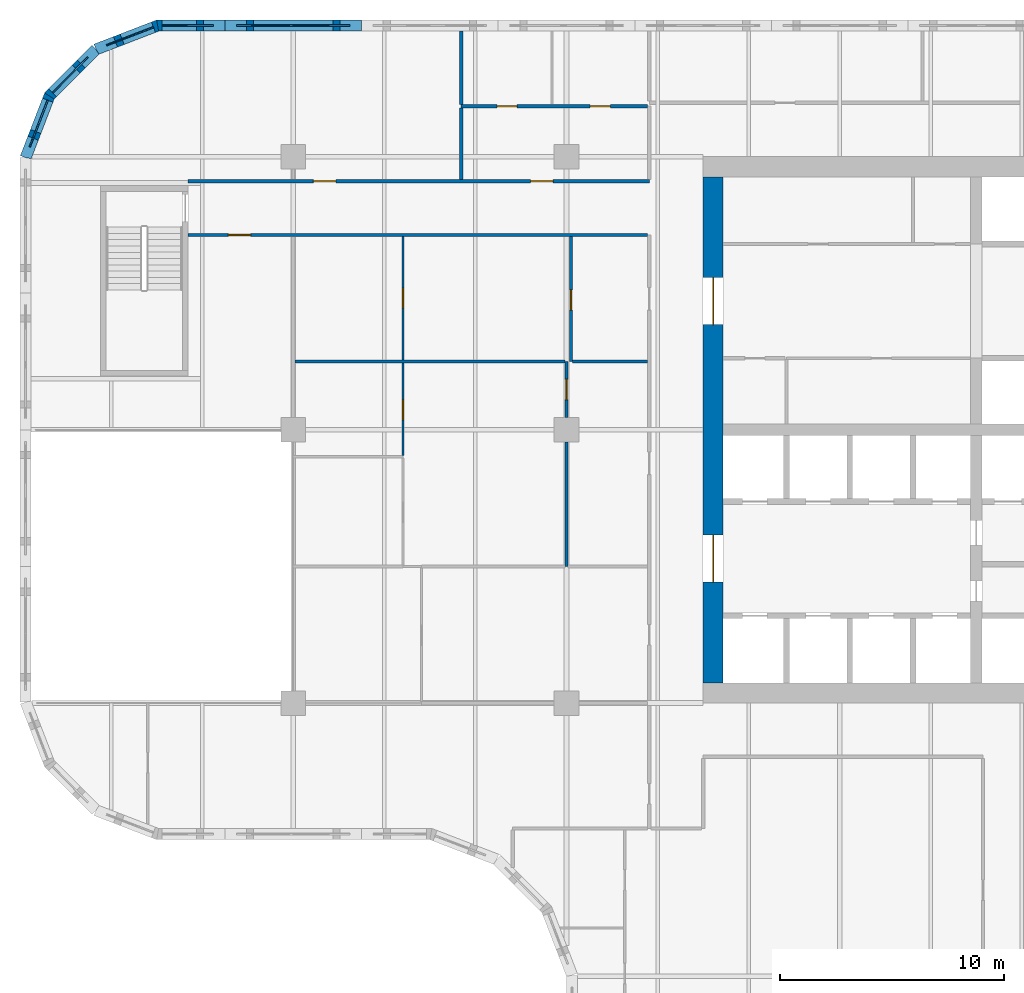
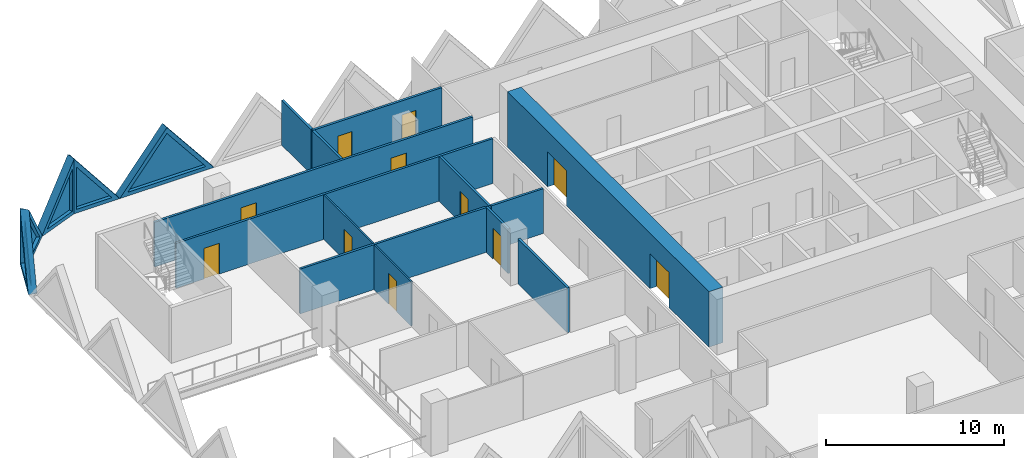
# One storey, part 8 of 19: 18 walls, 11 doors, 5 plates, 16 openings.
"""IFC4 building model written with IfcOpenShell, lengths in metres."""

from ifc_helpers import new_model, si_unit, direction, frame, frame_2d, origin, place, context, subcontext, project, spatial, polyline, rectangle, outline, extrude, faceted_brep, source, transform, mapped, material, layer, layer_set, type_object, element, fill, save


model = new_model("IFC4")

# Units and contexts
model_context = context("Model", 3, precision=1e-05, world=origin(), true_north=direction((0.0, 1.0)))
body_context = subcontext(model_context, "Body", "Model", "MODEL_VIEW")
ifc_project = project(units=[si_unit("LENGTHUNIT", "METRE"), si_unit("AREAUNIT", "SQUARE_METRE"), si_unit("VOLUMEUNIT", "CUBIC_METRE"), si_unit("PLANEANGLEUNIT", "RADIAN"), si_unit("MASSUNIT", "GRAM", prefix="KILO")], contexts=[model_context])

# Site, building, storey
site_placement = place(None, origin())
site = spatial("IfcSite", under=ifc_project, at=site_placement, CompositionType="ELEMENT")
building_placement = place(site_placement, origin())
building = spatial("IfcBuilding", under=site, at=building_placement, Name="Tessera Gate Towers", CompositionType="ELEMENT")
storey_placement = place(building_placement, frame((0.0, 0.0, 25.800048828125)))
storey = spatial("IfcBuildingStorey", under=building, at=storey_placement, Name="L05", CompositionType="ELEMENT", Elevation=25.800048828125)

# Wall, openings, doors
ifc_material_1 = material(Name="Concrete C70/85", Category="concrete")
ifc_layer_1 = layer(ifc_material_1, 0.89990234375)
ifc_layer_set_1 = layer_set([ifc_layer_1], Name="CORE SHEAR WALL 900 C70/85")
wall_type_1 = type_object("IfcWallType", Name="CORE SHEAR WALL 900 C70/85", PredefinedType="SHEAR", material=ifc_layer_set_1)
wall_1_placement = place(storey_placement, frame((30.949951171875, 25.300048828125, 0.0), z_axis=(0.0, 0.0, 1.0), x_axis=(0.0, 1.0, 0.0)))
wall_1 = element("IfcWall", 1, at=wall_1_placement, inside=storey, type_object=wall_type_1, Name="Core wall W L05", PredefinedType="SHEAR", context=body_context, shape_type="SweptSolid", body=[
    extrude(rectangle(XDim=22.599853515625, YDim=0.89990234375, at=frame_2d((11.2998046875, 0.0))), origin(), (0.0, 0.0, 1.0), 3.800048828125),
])
shared_shape_1 = source(origin(), body_context, "Body", "SweptSolid", [
    extrude(rectangle(XDim=2.10009765625, YDim=2.39990234375, at=frame_2d((1.050048828125, 1.199951171875))), frame((0.0, 0.4599609375, 0.0), z_axis=(0.0, -1.0, 0.0), x_axis=(1.0, 0.0, 0.0)), (0.0, 0.0, 1.0), 0.919921875),
])
opening_1_placement = place(wall_1_placement, frame((4.5, 0.0, 0.0)))
opening_1 = element("IfcOpeningElement", 2, at=opening_1_placement, cuts=wall_1, Name="Opening DD-T1-06-02", PredefinedType="OPENING", context=body_context, shape_type="MappedRepresentation", body=[
    mapped(shared_shape_1, transform((0.0, 0.0, 0.0), scale=1.0)),
])
opening_2_placement = place(wall_1_placement, frame((16.0, 0.0, 0.0)))
opening_2 = element("IfcOpeningElement", 3, at=opening_2_placement, cuts=wall_1, Name="Opening DD-T1-06-03", PredefinedType="OPENING", context=body_context, shape_type="MappedRepresentation", body=[
    mapped(shared_shape_1, transform((0.0, 0.0, 0.0), scale=1.0)),
])
ifc_material_2 = material(Name="Hollow steel fire door", Category="steel")
door_type_1 = type_object("IfcDoorType", Name="CORE DOOR DD 2100x2400", OperationType="NOTDEFINED", PredefinedType="DOOR", material=ifc_material_2)
shared_shape_2 = source(origin(), body_context, "Body", "SweptSolid", [
    extrude(rectangle(XDim=2.10009765625, YDim=2.39990234375, at=frame_2d((1.050048828125, 1.199951171875))), frame((0.0, 0.02490234375, 0.0), z_axis=(0.0, -1.0, 0.0), x_axis=(1.0, 0.0, 0.0)), (0.0, 0.0, 1.0), 0.050048828125),
])
door_1_placement = place(opening_1_placement, origin())
door_1 = element("IfcDoor", 4, at=door_1_placement, inside=storey, type_object=door_type_1, Name="Core entrance door", OperationType="DOUBLE_DOOR_SINGLE_SWING", OverallHeight=2.39990234375, OverallWidth=2.10009765625, PredefinedType="DOOR", context=body_context, shape_type="MappedRepresentation", body=[
    mapped(shared_shape_2, transform((0.0, 0.0, 0.0), scale=1.0)),
])
fill(opening_1, door_1)
door_2_placement = place(opening_2_placement, origin())
door_2 = element("IfcDoor", 5, at=door_2_placement, inside=storey, type_object=door_type_1, Name="Core entrance door", OperationType="DOUBLE_DOOR_SINGLE_SWING", OverallHeight=2.39990234375, OverallWidth=2.10009765625, PredefinedType="DOOR", context=body_context, shape_type="MappedRepresentation", body=[
    mapped(shared_shape_2, transform((0.0, 0.0, 0.0), scale=1.0)),
])
fill(opening_2, door_2)

# Wall, opening, door
ifc_material_3 = material(Name="Gypsum board on steel studs, mineral wool", Category="steel")
ifc_layer_2 = layer(ifc_material_3, 0.14990234375)
ifc_layer_set_2 = layer_set([ifc_layer_2], Name="CORRIDOR WALL 150")
wall_type_2 = type_object("IfcWallType", Name="CORRIDOR WALL 150", PredefinedType="PARTITIONING", material=ifc_layer_set_2)
wall_2_placement = place(storey_placement, frame((28.02392578125, 45.300048828125, 0.0), z_axis=(0.0, 0.0, 1.0), x_axis=(-1.0, 0.0, 0.0)))
wall_2 = element("IfcWall", 6, at=wall_2_placement, inside=storey, type_object=wall_type_2, Name="T1-L05-PW-046", PredefinedType="PARTITIONING", context=body_context, shape_type="SweptSolid", body=[
    extrude(rectangle(XDim=20.52392578125, YDim=0.14990234375, at=frame_2d((10.261962890625, 0.0))), origin(), (0.0, 0.0, 1.0), 3.06689453125),
])
shared_shape_3 = source(origin(), body_context, "Body", "SweptSolid", [
    extrude(rectangle(XDim=1.0, YDim=2.10009765625, at=frame_2d((0.5, 1.050048828125))), frame((0.0, 0.0849609375, 0.0), z_axis=(0.0, -1.0, 0.0), x_axis=(1.0, 0.0, 0.0)), (0.0, 0.0, 1.0), 0.169921875),
])
opening_3_placement = place(wall_2_placement, frame((17.72412109375, 0.0, 0.0)))
opening_3 = element("IfcOpeningElement", 7, at=opening_3_placement, cuts=wall_2, Name="Opening D2100FD60-A02-01", PredefinedType="OPENING", context=body_context, shape_type="MappedRepresentation", body=[
    mapped(shared_shape_3, transform((0.0, 0.0, 0.0), scale=1.0)),
])
ifc_material_4 = material(Name="Timber door leaf in steel frame", Category="steel")
door_type_2 = type_object("IfcDoorType", Name="TENANCY ENTRANCE DOOR 1000 FD60", OperationType="NOTDEFINED", PredefinedType="DOOR", material=ifc_material_4)
shared_shape_4 = source(origin(), body_context, "Body", "SweptSolid", [
    extrude(rectangle(XDim=1.0, YDim=2.10009765625, at=frame_2d((0.5, 1.050048828125))), frame((0.0, 0.02490234375, 0.0), z_axis=(0.0, -1.0, 0.0), x_axis=(1.0, 0.0, 0.0)), (0.0, 0.0, 1.0), 0.050048828125),
])
door_3_placement = place(opening_3_placement, origin())
door_3 = element("IfcDoor", 8, at=door_3_placement, inside=storey, type_object=door_type_2, Name="T1-L05-PD-009", OperationType="SINGLE_SWING_RIGHT", OverallHeight=2.10009765625, OverallWidth=1.0, PredefinedType="DOOR", context=body_context, shape_type="MappedRepresentation", body=[
    mapped(shared_shape_4, transform((0.0, 0.0, 0.0), scale=1.0)),
])
fill(opening_3, door_3)

# Wall, openings, doors
wall_3_placement = place(storey_placement, frame((7.5, 47.699951171875, 0.0), z_axis=(0.0, 0.0, 1.0), x_axis=(1.0, 0.0, 0.0)))
wall_3 = element("IfcWall", 9, at=wall_3_placement, inside=storey, type_object=wall_type_2, Name="T1-L05-PW-047", PredefinedType="PARTITIONING", context=body_context, shape_type="SweptSolid", body=[
    extrude(rectangle(XDim=20.60009765625, YDim=0.14990234375, at=frame_2d((10.300048828125, 0.0))), origin(), (0.0, 0.0, 1.0), 3.06689453125),
])
opening_4_placement = place(wall_3_placement, frame((15.301025390625, 0.0, 0.0)))
opening_4 = element("IfcOpeningElement", 10, at=opening_4_placement, cuts=wall_3, Name="Opening D2100FD60-A02-04", PredefinedType="OPENING", context=body_context, shape_type="MappedRepresentation", body=[
    mapped(shared_shape_3, transform((0.0, 0.0, 0.0), scale=1.0)),
])
opening_5_placement = place(wall_3_placement, frame((5.60009765625, 0.0, 0.0)))
opening_5 = element("IfcOpeningElement", 11, at=opening_5_placement, cuts=wall_3, Name="Opening D2100FD60-A02-06", PredefinedType="OPENING", context=body_context, shape_type="MappedRepresentation", body=[
    mapped(shared_shape_3, transform((0.0, 0.0, 0.0), scale=1.0)),
])
door_4_placement = place(opening_4_placement, origin())
door_4 = element("IfcDoor", 12, at=door_4_placement, inside=storey, type_object=door_type_2, Name="T1-L05-PD-024", OperationType="SINGLE_SWING_LEFT", OverallHeight=2.10009765625, OverallWidth=1.0, PredefinedType="DOOR", context=body_context, shape_type="MappedRepresentation", body=[
    mapped(shared_shape_4, transform((0.0, 0.0, 0.0), scale=1.0)),
])
fill(opening_4, door_4)
door_5_placement = place(opening_5_placement, origin())
door_5 = element("IfcDoor", 13, at=door_5_placement, inside=storey, type_object=door_type_2, Name="T1-L05-PD-029", OperationType="SINGLE_SWING_LEFT", OverallHeight=2.10009765625, OverallWidth=1.0, PredefinedType="DOOR", context=body_context, shape_type="MappedRepresentation", body=[
    mapped(shared_shape_4, transform((0.0, 0.0, 0.0), scale=1.0)),
])
fill(opening_5, door_5)

# Wall, opening, door
ifc_material_5 = material(Name="Gypsum board on steel studs", Category="steel")
ifc_layer_3 = layer(ifc_material_5, 0.10009765625)
ifc_layer_set_3 = layer_set([ifc_layer_3], Name="PARTITION 100")
wall_type_3 = type_object("IfcWallType", Name="PARTITION 100", PredefinedType="PARTITIONING", material=ifc_layer_set_3)
wall_4_placement = place(storey_placement, frame((17.10009765625, 35.4462890625, 0.0), z_axis=(0.0, 0.0, 1.0), x_axis=(0.0, 1.0, 0.0)))
wall_4 = element("IfcWall", 14, at=wall_4_placement, inside=storey, type_object=wall_type_3, Name="T1-L05-PW-039", PredefinedType="PARTITIONING", context=body_context, shape_type="SweptSolid", body=[
    extrude(rectangle(XDim=4.127685546875, YDim=0.10009765625, at=frame_2d((2.06396484375, 0.0))), origin(), (0.0, 0.0, 1.0), 3.06689453125),
])
shared_shape_5 = source(origin(), body_context, "Body", "SweptSolid", [
    extrude(rectangle(XDim=0.89990234375, YDim=2.10009765625, at=frame_2d((0.449951171875, 1.050048828125))), frame((0.0, 0.06005859375, 0.0), z_axis=(0.0, -1.0, 0.0), x_axis=(1.0, 0.0, 0.0)), (0.0, 0.0, 1.0), 0.1201171875),
])
opening_6_placement = place(wall_4_placement, frame((1.60009765625, 0.0, 0.0)))
opening_6 = element("IfcOpeningElement", 15, at=opening_6_placement, cuts=wall_4, Name="Opening D190-A02-03", PredefinedType="OPENING", context=body_context, shape_type="MappedRepresentation", body=[
    mapped(shared_shape_5, transform((0.0, 0.0, 0.0), scale=1.0)),
])
ifc_material_6 = material(Name="Timber door leaf in steel frame", Category="steel")
door_type_3 = type_object("IfcDoorType", Name="INTERNAL DOOR 900 NOT RATED", OperationType="NOTDEFINED", PredefinedType="DOOR", material=ifc_material_6)
shared_shape_6 = source(origin(), body_context, "Body", "SweptSolid", [
    extrude(rectangle(XDim=0.89990234375, YDim=2.10009765625, at=frame_2d((0.449951171875, 1.050048828125))), frame((0.0, 0.02490234375, 0.0), z_axis=(0.0, -1.0, 0.0), x_axis=(1.0, 0.0, 0.0)), (0.0, 0.0, 1.0), 0.050048828125),
])
door_6_placement = place(opening_6_placement, origin())
door_6 = element("IfcDoor", 16, at=door_6_placement, inside=storey, type_object=door_type_3, Name="T1-L05-PD-004", OperationType="SINGLE_SWING_LEFT", OverallHeight=2.10009765625, OverallWidth=0.89990234375, PredefinedType="DOOR", context=body_context, shape_type="MappedRepresentation", body=[
    mapped(shared_shape_6, transform((0.0, 0.0, 0.0), scale=1.0)),
])
fill(opening_6, door_6)

wall_5_placement = place(storey_placement, frame((17.10009765625, 39.72607421875, 0.0), z_axis=(0.0, 0.0, 1.0), x_axis=(0.0, 1.0, 0.0)))
wall_5 = element("IfcWall", 17, at=wall_5_placement, inside=storey, type_object=wall_type_3, Name="T1-L05-PW-045", PredefinedType="PARTITIONING", context=body_context, shape_type="SweptSolid", body=[
    extrude(rectangle(XDim=5.498046875, YDim=0.10009765625, at=frame_2d((2.7490234375, 0.0))), origin(), (0.0, 0.0, 1.0), 3.06689453125),
])
opening_7_placement = place(wall_5_placement, frame((2.300048828125, 0.0, 0.0)))
opening_7 = element("IfcOpeningElement", 18, at=opening_7_placement, cuts=wall_5, Name="Opening D190-A02-11", PredefinedType="OPENING", context=body_context, shape_type="MappedRepresentation", body=[
    mapped(shared_shape_5, transform((0.0, 0.0, 0.0), scale=1.0)),
])
door_7_placement = place(opening_7_placement, origin())
door_7 = element("IfcDoor", 19, at=door_7_placement, inside=storey, type_object=door_type_3, Name="T1-L05-PD-015", OperationType="SINGLE_SWING_LEFT", OverallHeight=2.10009765625, OverallWidth=0.89990234375, PredefinedType="DOOR", context=body_context, shape_type="MappedRepresentation", body=[
    mapped(shared_shape_6, transform((0.0, 0.0, 0.0), scale=1.0)),
])
fill(opening_7, door_7)

# Wall
ifc_material_7 = material(Name="Gypsum board on steel studs, mineral wool", Category="steel")
ifc_layer_4 = layer(ifc_material_7, 0.14990234375)
ifc_layer_set_4 = layer_set([ifc_layer_4], Name="TENANCY WALL 150")
wall_type_4 = type_object("IfcWallType", Name="TENANCY WALL 150", PredefinedType="PARTITIONING", material=ifc_layer_set_4)
wall_6_placement = place(storey_placement, frame((24.39990234375, 30.5, 0.0), z_axis=(0.0, 0.0, 1.0), x_axis=(0.0, 1.0, 0.0)))
element("IfcWall", 20, at=wall_6_placement, inside=storey, type_object=wall_type_4, Name="T1-L05-PW-035", PredefinedType="PARTITIONING", context=body_context, shape_type="SweptSolid", body=[
    extrude(rectangle(XDim=5.549072265625, YDim=0.14990234375, at=frame_2d((2.7744140625, 0.0))), origin(), (0.0, 0.0, 1.0), 3.06689453125),
])

# Wall, opening, door
wall_7_placement = place(storey_placement, frame((24.39990234375, 37.15087890625, 0.0), z_axis=(0.0, 0.0, 1.0), x_axis=(0.0, 1.0, 0.0)))
wall_7 = element("IfcWall", 21, at=wall_7_placement, inside=storey, type_object=wall_type_4, Name="T1-L05-PW-041", PredefinedType="PARTITIONING", context=body_context, shape_type="SweptSolid", body=[
    extrude(rectangle(XDim=2.4990234375, YDim=0.14990234375, at=frame_2d((1.24951171875, 0.0))), origin(), (0.0, 0.0, 1.0), 3.06689453125),
])
shared_shape_7 = source(origin(), body_context, "Body", "SweptSolid", [
    extrude(rectangle(XDim=0.89990234375, YDim=2.10009765625, at=frame_2d((0.449951171875, 1.050048828125))), frame((0.0, 0.0849609375, 0.0), z_axis=(0.0, -1.0, 0.0), x_axis=(1.0, 0.0, 0.0)), (0.0, 0.0, 1.0), 0.169921875),
])
opening_8_placement = place(wall_7_placement, frame((0.800048828125, 0.0, 0.0)))
opening_8 = element("IfcOpeningElement", 22, at=opening_8_placement, cuts=wall_7, Name="Opening D190-A02-14", PredefinedType="OPENING", context=body_context, shape_type="MappedRepresentation", body=[
    mapped(shared_shape_7, transform((0.0, 0.0, 0.0), scale=1.0)),
])
door_8_placement = place(opening_8_placement, origin())
door_8 = element("IfcDoor", 23, at=door_8_placement, inside=storey, type_object=door_type_3, Name="T1-L05-PD-023", OperationType="SINGLE_SWING_LEFT", OverallHeight=2.10009765625, OverallWidth=0.89990234375, PredefinedType="DOOR", context=body_context, shape_type="MappedRepresentation", body=[
    mapped(shared_shape_6, transform((0.0, 0.0, 0.0), scale=1.0)),
])
fill(opening_8, door_8)

# Wall
wall_8_placement = place(storey_placement, frame((12.27587890625, 39.64990234375, 0.0), z_axis=(0.0, 0.0, 1.0), x_axis=(1.0, 0.0, 0.0)))
element("IfcWall", 24, at=wall_8_placement, inside=storey, type_object=wall_type_4, Name="T1-L05-PW-042", PredefinedType="PARTITIONING", context=body_context, shape_type="SweptSolid", body=[
    extrude(rectangle(XDim=12.048095703125, YDim=0.14990234375, at=frame_2d((6.02392578125, 0.0))), origin(), (0.0, 0.0, 1.0), 3.06689453125),
])

# Wall, opening, door
wall_9_placement = place(storey_placement, frame((24.60009765625, 39.64990234375, 0.0), z_axis=(0.0, 0.0, 1.0), x_axis=(0.0, 1.0, 0.0)))
wall_9 = element("IfcWall", 25, at=wall_9_placement, inside=storey, type_object=wall_type_4, Name="T1-L05-PW-043", PredefinedType="PARTITIONING", context=body_context, shape_type="SweptSolid", body=[
    extrude(rectangle(XDim=5.57421875, YDim=0.14990234375, at=frame_2d((2.787109375, 0.0))), origin(), (0.0, 0.0, 1.0), 3.06689453125),
])
opening_9_placement = place(wall_9_placement, frame((2.300048828125, 0.0, 0.0)))
opening_9 = element("IfcOpeningElement", 26, at=opening_9_placement, cuts=wall_9, Name="Opening D190-A02-12", PredefinedType="OPENING", context=body_context, shape_type="MappedRepresentation", body=[
    mapped(shared_shape_7, transform((0.0, 0.0, 0.0), scale=1.0)),
])
door_9_placement = place(opening_9_placement, origin())
door_9 = element("IfcDoor", 27, at=door_9_placement, inside=storey, type_object=door_type_3, Name="T1-L05-PD-016", OperationType="SINGLE_SWING_LEFT", OverallHeight=2.10009765625, OverallWidth=0.89990234375, PredefinedType="DOOR", context=body_context, shape_type="MappedRepresentation", body=[
    mapped(shared_shape_6, transform((0.0, 0.0, 0.0), scale=1.0)),
])
fill(opening_9, door_9)

# Walls
wall_10_placement = place(storey_placement, frame((24.676025390625, 39.64990234375, 0.0), z_axis=(0.0, 0.0, 1.0), x_axis=(1.0, 0.0, 0.0)))
element("IfcWall", 28, at=wall_10_placement, inside=storey, type_object=wall_type_4, Name="T1-L05-PW-044", PredefinedType="PARTITIONING", context=body_context, shape_type="SweptSolid", body=[
    extrude(rectangle(XDim=3.347900390625, YDim=0.14990234375, at=frame_2d((1.673828125, 0.0))), origin(), (0.0, 0.0, 1.0), 3.06689453125),
])
wall_11_placement = place(storey_placement, frame((19.699951171875, 47.77587890625, 0.0), z_axis=(0.0, 0.0, 1.0), x_axis=(0.0, 1.0, 0.0)))
element("IfcWall", 29, at=wall_11_placement, inside=storey, type_object=wall_type_4, Name="T1-L05-PW-048", PredefinedType="PARTITIONING", context=body_context, shape_type="SweptSolid", body=[
    extrude(rectangle(XDim=3.1982421875, YDim=0.14990234375, at=frame_2d((1.59912109375, 0.0))), origin(), (0.0, 0.0, 1.0), 3.06689453125),
])

# Wall, openings, doors
wall_12_placement = place(storey_placement, frame((19.699951171875, 51.050048828125, 0.0), z_axis=(0.0, 0.0, 1.0), x_axis=(1.0, 0.0, 0.0)))
wall_12 = element("IfcWall", 30, at=wall_12_placement, inside=storey, type_object=wall_type_4, Name="T1-L05-PW-051", PredefinedType="PARTITIONING", context=body_context, shape_type="SweptSolid", body=[
    extrude(rectangle(XDim=8.323974609375, YDim=0.14990234375, at=frame_2d((4.162109375, 0.0))), origin(), (0.0, 0.0, 1.0), 3.06689453125),
])
opening_10_placement = place(wall_12_placement, frame((1.60009765625, 0.0, 0.0)))
opening_10 = element("IfcOpeningElement", 31, at=opening_10_placement, cuts=wall_12, Name="Opening D190-A02-01", PredefinedType="OPENING", context=body_context, shape_type="MappedRepresentation", body=[
    mapped(shared_shape_7, transform((0.0, 0.0, 0.0), scale=1.0)),
])
opening_11_placement = place(wall_12_placement, frame((5.758056640625, 0.0, 0.0)))
opening_11 = element("IfcOpeningElement", 32, at=opening_11_placement, cuts=wall_12, Name="Opening D190-A02-04", PredefinedType="OPENING", context=body_context, shape_type="MappedRepresentation", body=[
    mapped(shared_shape_7, transform((0.0, 0.0, 0.0), scale=1.0)),
])
door_10_placement = place(opening_10_placement, origin())
door_10 = element("IfcDoor", 33, at=door_10_placement, inside=storey, type_object=door_type_3, Name="T1-L05-PD-002", OperationType="SINGLE_SWING_LEFT", OverallHeight=2.10009765625, OverallWidth=0.89990234375, PredefinedType="DOOR", context=body_context, shape_type="MappedRepresentation", body=[
    mapped(shared_shape_6, transform((0.0, 0.0, 0.0), scale=1.0)),
])
fill(opening_10, door_10)
door_11_placement = place(opening_11_placement, origin())
door_11 = element("IfcDoor", 34, at=door_11_placement, inside=storey, type_object=door_type_3, Name="T1-L05-PD-005", OperationType="SINGLE_SWING_LEFT", OverallHeight=2.10009765625, OverallWidth=0.89990234375, PredefinedType="DOOR", context=body_context, shape_type="MappedRepresentation", body=[
    mapped(shared_shape_6, transform((0.0, 0.0, 0.0), scale=1.0)),
])
fill(opening_11, door_11)

# Wall
wall_13_placement = place(storey_placement, frame((19.699951171875, 51.1259765625, 0.0), z_axis=(0.0, 0.0, 1.0), x_axis=(0.0, 1.0, 0.0)))
element("IfcWall", 35, at=wall_13_placement, inside=storey, type_object=wall_type_4, Name="T1-L05-PW-052", PredefinedType="PARTITIONING", context=body_context, shape_type="SweptSolid", body=[
    extrude(rectangle(XDim=3.27392578125, YDim=0.14990234375, at=frame_2d((1.636962890625, 0.0))), origin(), (0.0, 0.0, 1.0), 3.06689453125),
])

# Wall, opening, plate
ifc_material_8 = material(Name="Precast concrete C60/75 white", Category="concrete")
ifc_layer_5 = layer(ifc_material_8, 0.5)
ifc_layer_set_5 = layer_set([ifc_layer_5], Name="TS2 half tessera")
wall_type_5 = type_object("IfcWallType", Name="TS2 half tessera", PredefinedType="SOLIDWALL", material=ifc_layer_set_5)
shared_shape_8 = source(origin(), body_context, "Body", "SweptSolid", [
    extrude(outline(polyline([(6.10009765625, 0.0), (3.050048828125, 3.800048828125), (0.0, 0.0), (6.10009765625, 0.0)])), frame((0.0, 0.25, 0.0), z_axis=(0.0, -1.0, 0.0), x_axis=(1.0, 0.0, 0.0)), (0.0, 0.0, 1.0), 0.5),
])
wall_14_placement = place(storey_placement, frame((15.25, 54.64990234375, 0.0), z_axis=(0.0, 0.0, 1.0), x_axis=(-1.0, 0.0, 0.0)))
wall_14 = element("IfcWall", 36, at=wall_14_placement, inside=storey, type_object=wall_type_5, Name="Precast half tessera T1 TS2-0062", PredefinedType="SOLIDWALL", context=body_context, shape_type="MappedRepresentation", body=[
    mapped(shared_shape_8, transform((0.0, 0.0, 0.0), scale=1.0)),
])
shared_shape_9 = source(origin(), body_context, "Body", "SweptSolid", [
    extrude(outline(polyline([(5.578857421875, 0.25), (3.050048828125, 3.400634765625), (0.521240234375, 0.25), (5.578857421875, 0.25)])), frame((0.0, 0.260009765625, 0.0), z_axis=(0.0, -1.0, 0.0), x_axis=(1.0, 0.0, 0.0)), (0.0, 0.0, 1.0), 0.52001953125),
])
opening_12_placement = place(wall_14_placement, origin())
opening_12 = element("IfcOpeningElement", 37, at=opening_12_placement, cuts=wall_14, Name="Opening T1-PL1-0120", PredefinedType="OPENING", context=body_context, shape_type="MappedRepresentation", body=[
    mapped(shared_shape_9, transform((0.0, 0.0, 0.0), scale=1.0)),
])
ifc_material_9 = material(Name="Low-e laminated glass", Category="glass")
ifc_layer_6 = layer(ifc_material_9, 0.06005859375)
ifc_layer_set_6 = layer_set([ifc_layer_6], Name="PL1 triangular pane")
plate_type = type_object("IfcPlateType", Name="PL1 triangular pane", PredefinedType="SHEET", material=ifc_layer_set_6)
shared_shape_10 = source(origin(), body_context, "Body", "SweptSolid", [
    extrude(outline(polyline([(5.578857421875, 0.25), (3.050048828125, 3.400634765625), (0.521240234375, 0.25), (5.578857421875, 0.25)])), frame((0.0, 0.030029296875, 0.0), z_axis=(0.0, -1.0, 0.0), x_axis=(1.0, 0.0, 0.0)), (0.0, 0.0, 1.0), 0.06005859375),
])
plate_1_placement = place(opening_12_placement, origin())
plate_1 = element("IfcPlate", 38, at=plate_1_placement, inside=storey, type_object=plate_type, Name="Glass pane T1 PL1-0120", PredefinedType="SHEET", context=body_context, shape_type="MappedRepresentation", body=[
    mapped(shared_shape_10, transform((0.0, 0.0, 0.0), scale=1.0)),
])
fill(opening_12, plate_1)

ifc_material_10 = material(Name="Precast concrete C60/75 white", Category="concrete")
ifc_layer_7 = layer(ifc_material_10, 0.5)
ifc_layer_set_7 = layer_set([ifc_layer_7], Name="TS3 corner tessera")
wall_type_6 = type_object("IfcWallType", Name="TS3 corner tessera", PredefinedType="SOLIDWALL", material=ifc_layer_set_7)
shared_shape_11 = source(origin(), body_context, "Body", "Brep", [
    faceted_brep([(3.050048828125, -0.25, 3.739990234375), (3.00341796875, -0.25, 3.800048828125), (0.0, -0.25, 0.0), (3.050048828125, -0.25, 0.0), (0.0, 0.25, 0.0), (2.956787109375, 0.25, 3.7412109375), (2.956787109375, 0.25, 0.0), (3.00341796875, 0.000244140625, 3.800048828125)], [[[0, 1, 2, 3]], [[4, 5, 6]], [[7, 1, 0]], [[5, 4, 2, 1, 7]], [[4, 6, 3, 2]], [[3, 6, 5, 7, 0]]]),
])
wall_15_placement = place(storey_placement, frame((9.14990234375, 54.64990234375, 0.0), z_axis=(0.0, 0.0, 1.0), x_axis=(-1.0, 0.0, 0.0)))
wall_15 = element("IfcWall", 39, at=wall_15_placement, inside=storey, type_object=wall_type_6, Name="Precast corner tessera T1 TS3-0083", PredefinedType="SOLIDWALL", context=body_context, shape_type="MappedRepresentation", body=[
    mapped(shared_shape_11, transform((0.0, 0.0, 0.0), scale=1.0)),
])
shared_shape_12 = source(origin(), body_context, "Body", "SweptSolid", [
    extrude(outline(polyline([(2.803466796875, 3.143798828125), (0.516357421875, 0.25), (2.803466796875, 0.25), (2.803466796875, 3.143798828125)])), frame((0.0, 0.260009765625, 0.0), z_axis=(0.0, -1.0, 0.0), x_axis=(1.0, 0.0, 0.0)), (0.0, 0.0, 1.0), 0.52001953125),
])
opening_13_placement = place(wall_15_placement, origin())
opening_13 = element("IfcOpeningElement", 40, at=opening_13_placement, cuts=wall_15, Name="Opening T1-PL1-0121", PredefinedType="OPENING", context=body_context, shape_type="MappedRepresentation", body=[
    mapped(shared_shape_12, transform((0.0, 0.0, 0.0), scale=1.0)),
])
shared_shape_13 = source(origin(), body_context, "Body", "SweptSolid", [
    extrude(outline(polyline([(2.803466796875, 3.143798828125), (0.516357421875, 0.25), (2.803466796875, 0.25), (2.803466796875, 3.143798828125)])), frame((0.0, 0.030029296875, 0.0), z_axis=(0.0, -1.0, 0.0), x_axis=(1.0, 0.0, 0.0)), (0.0, 0.0, 1.0), 0.06005859375),
])
plate_2_placement = place(opening_13_placement, origin())
plate_2 = element("IfcPlate", 41, at=plate_2_placement, inside=storey, type_object=plate_type, Name="Glass pane T1 PL1-0121", PredefinedType="SHEET", context=body_context, shape_type="MappedRepresentation", body=[
    mapped(shared_shape_13, transform((0.0, 0.0, 0.0), scale=1.0)),
])
fill(opening_13, plate_2)

shared_shape_14 = source(origin(), body_context, "Body", "Brep", [
    faceted_brep([(2.9970703125, -0.25, 0.0), (0.046630859375, -0.25, 3.800048828125), (0.0, -0.25, 3.7412109375), (0.0, -0.25, 0.0), (0.09326171875, 0.25, 3.739990234375), (2.9443359375, 0.25, 0.068115234375), (2.9443359375, 0.25, 0.0), (0.09326171875, 0.25, 0.0), (0.046630859375, 0.0, 3.800048828125), (2.9970703125, 0.00048828125, 0.0)], [[[0, 1, 2, 3]], [[4, 5, 6, 7]], [[5, 4, 8, 1, 0, 9]], [[2, 1, 8]], [[7, 6, 9, 0, 3]], [[7, 3, 2, 8, 4]], [[9, 6, 5]]]),
])
wall_16_placement = place(storey_placement, frame((6.18994140625, 54.666748046875, 0.0), z_axis=(0.0, 0.0, 1.0), x_axis=(-0.932990326376, -0.359901446078, 0.0)))
wall_16 = element("IfcWall", 42, at=wall_16_placement, inside=storey, type_object=wall_type_6, Name="Precast corner tessera T1 TS3-0084", PredefinedType="SOLIDWALL", context=body_context, shape_type="MappedRepresentation", body=[
    mapped(shared_shape_14, transform((0.0, 0.0, 0.0), scale=1.0)),
])
shared_shape_15 = source(origin(), body_context, "Body", "SweptSolid", [
    extrude(outline(polyline([(2.486572265625, 0.25), (0.24658203125, 3.134765625), (0.24658203125, 0.25), (2.486572265625, 0.25)])), frame((0.0, 0.260009765625, 0.0), z_axis=(0.0, -1.0, 0.0), x_axis=(1.0, 0.0, 0.0)), (0.0, 0.0, 1.0), 0.52001953125),
])
opening_14_placement = place(wall_16_placement, origin())
opening_14 = element("IfcOpeningElement", 43, at=opening_14_placement, cuts=wall_16, Name="Opening T1-PL1-0122", PredefinedType="OPENING", context=body_context, shape_type="MappedRepresentation", body=[
    mapped(shared_shape_15, transform((0.0, 0.0, 0.0), scale=1.0)),
])
shared_shape_16 = source(origin(), body_context, "Body", "SweptSolid", [
    extrude(outline(polyline([(2.486572265625, 0.25), (0.24658203125, 3.134765625), (0.24658203125, 0.25), (2.486572265625, 0.25)])), frame((0.0, 0.030029296875, 0.0), z_axis=(0.0, -1.0, 0.0), x_axis=(1.0, 0.0, 0.0)), (0.0, 0.0, 1.0), 0.06005859375),
])
plate_3_placement = place(opening_14_placement, origin())
plate_3 = element("IfcPlate", 44, at=plate_3_placement, inside=storey, type_object=plate_type, Name="Glass pane T1 PL1-0122", PredefinedType="SHEET", context=body_context, shape_type="MappedRepresentation", body=[
    mapped(shared_shape_16, transform((0.0, 0.0, 0.0), scale=1.0)),
])
fill(opening_14, plate_3)

shared_shape_17 = source(origin(), body_context, "Body", "Brep", [
    faceted_brep([(3.00341796875, -0.25, 0.0), (0.052978515625, -0.25, 3.800048828125), (0.0, -0.25, 3.731689453125), (0.0, -0.25, 0.0), (0.10595703125, 0.25, 3.73193359375), (2.95703125, 0.25, 0.059814453125), (2.95703125, 0.25, 0.0), (0.10595703125, 0.25, 0.0), (0.052978515625, 0.0, 3.800048828125), (3.00341796875, 0.00048828125, 0.0)], [[[0, 1, 2, 3]], [[4, 5, 6, 7]], [[5, 4, 8, 1, 0, 9]], [[2, 1, 8]], [[7, 6, 9, 0, 3]], [[7, 3, 2, 8, 4]], [[9, 6, 5]]]),
])
wall_17_placement = place(storey_placement, frame((1.3310546875, 51.5556640625, 0.0), z_axis=(0.0, 0.0, 1.0), x_axis=(-0.35992665181, -0.932980602862, 0.0)))
wall_17 = element("IfcWall", 45, at=wall_17_placement, inside=storey, type_object=wall_type_6, Name="Precast corner tessera T1 TS3-0086", PredefinedType="SOLIDWALL", context=body_context, shape_type="MappedRepresentation", body=[
    mapped(shared_shape_17, transform((0.0, 0.0, 0.0), scale=1.0)),
])
shared_shape_18 = source(origin(), body_context, "Body", "SweptSolid", [
    extrude(outline(polyline([(2.492919921875, 0.25), (0.2529296875, 3.134765625), (0.2529296875, 0.25), (2.492919921875, 0.25)])), frame((0.0, 0.260009765625, 0.0), z_axis=(0.0, -1.0, 0.0), x_axis=(1.0, 0.0, 0.0)), (0.0, 0.0, 1.0), 0.52001953125),
])
opening_15_placement = place(wall_17_placement, origin())
opening_15 = element("IfcOpeningElement", 46, at=opening_15_placement, cuts=wall_17, Name="Opening T1-PL1-0124", PredefinedType="OPENING", context=body_context, shape_type="MappedRepresentation", body=[
    mapped(shared_shape_18, transform((0.0, 0.0, 0.0), scale=1.0)),
])
shared_shape_19 = source(origin(), body_context, "Body", "SweptSolid", [
    extrude(outline(polyline([(2.492919921875, 0.25), (0.2529296875, 3.134765625), (0.2529296875, 0.25), (2.492919921875, 0.25)])), frame((0.0, 0.030029296875, 0.0), z_axis=(0.0, -1.0, 0.0), x_axis=(1.0, 0.0, 0.0)), (0.0, 0.0, 1.0), 0.06005859375),
])
plate_4_placement = place(opening_15_placement, origin())
plate_4 = element("IfcPlate", 47, at=plate_4_placement, inside=storey, type_object=plate_type, Name="Glass pane T1 PL1-0124", PredefinedType="SHEET", context=body_context, shape_type="MappedRepresentation", body=[
    mapped(shared_shape_19, transform((0.0, 0.0, 0.0), scale=1.0)),
])
fill(opening_15, plate_4)

shared_shape_20 = source(origin(), body_context, "Body", "Brep", [
    faceted_brep([(2.9970703125, -0.25, 3.73193359375), (2.944091796875, -0.25, 3.800048828125), (0.0, -0.25, 0.0), (2.9970703125, -0.25, 0.0), (0.052978515625, 0.25, 0.068359375), (2.89111328125, 0.25, 3.73193359375), (2.89111328125, 0.25, 0.0), (0.052978515625, 0.25, 0.0), (2.944091796875, 0.000244140625, 3.800048828125), (0.0, 0.0, 0.0)], [[[0, 1, 2, 3]], [[4, 5, 6, 7]], [[8, 1, 0]], [[5, 4, 9, 2, 1, 8]], [[7, 6, 3, 2, 9]], [[7, 9, 4]], [[3, 6, 5, 8, 0]]]),
])
wall_18_placement = place(storey_placement, frame((3.393798828125, 53.588134765625, 0.0), z_axis=(0.0, 0.0, 1.0), x_axis=(-0.707106781187, -0.707106781187, 0.0)))
wall_18 = element("IfcWall", 48, at=wall_18_placement, inside=storey, type_object=wall_type_6, Name="Precast corner tessera T1 TS3-0085", PredefinedType="SOLIDWALL", context=body_context, shape_type="MappedRepresentation", body=[
    mapped(shared_shape_20, transform((0.0, 0.0, 0.0), scale=1.0)),
])
shared_shape_21 = source(origin(), body_context, "Body", "SweptSolid", [
    extrude(outline(polyline([(2.744140625, 3.133544921875), (0.510009765625, 0.25), (2.744140625, 0.25), (2.744140625, 3.133544921875)])), frame((0.0, 0.260009765625, 0.0), z_axis=(0.0, -1.0, 0.0), x_axis=(1.0, 0.0, 0.0)), (0.0, 0.0, 1.0), 0.52001953125),
])
opening_16_placement = place(wall_18_placement, origin())
opening_16 = element("IfcOpeningElement", 49, at=opening_16_placement, cuts=wall_18, Name="Opening T1-PL1-0123", PredefinedType="OPENING", context=body_context, shape_type="MappedRepresentation", body=[
    mapped(shared_shape_21, transform((0.0, 0.0, 0.0), scale=1.0)),
])
shared_shape_22 = source(origin(), body_context, "Body", "SweptSolid", [
    extrude(outline(polyline([(2.744140625, 3.133544921875), (0.510009765625, 0.25), (2.744140625, 0.25), (2.744140625, 3.133544921875)])), frame((0.0, 0.030029296875, 0.0), z_axis=(0.0, -1.0, 0.0), x_axis=(1.0, 0.0, 0.0)), (0.0, 0.0, 1.0), 0.06005859375),
])
plate_5_placement = place(opening_16_placement, origin())
plate_5 = element("IfcPlate", 50, at=plate_5_placement, inside=storey, type_object=plate_type, Name="Glass pane T1 PL1-0123", PredefinedType="SHEET", context=body_context, shape_type="MappedRepresentation", body=[
    mapped(shared_shape_22, transform((0.0, 0.0, 0.0), scale=1.0)),
])
fill(opening_16, plate_5)

save(model, "model.ifc")
